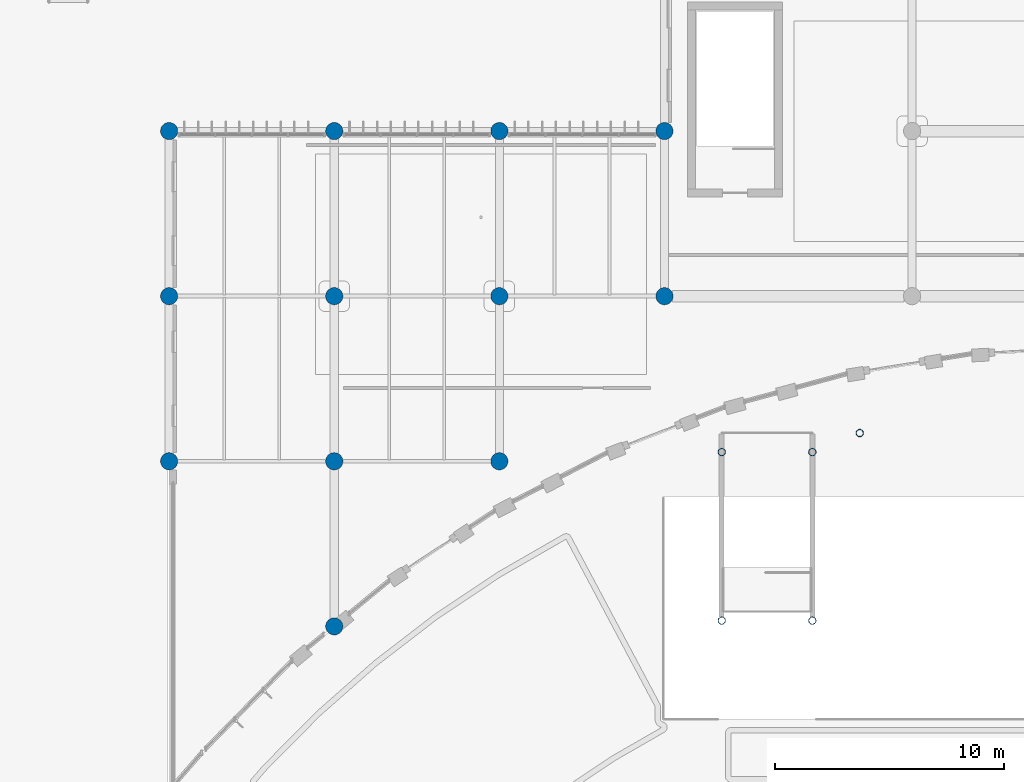
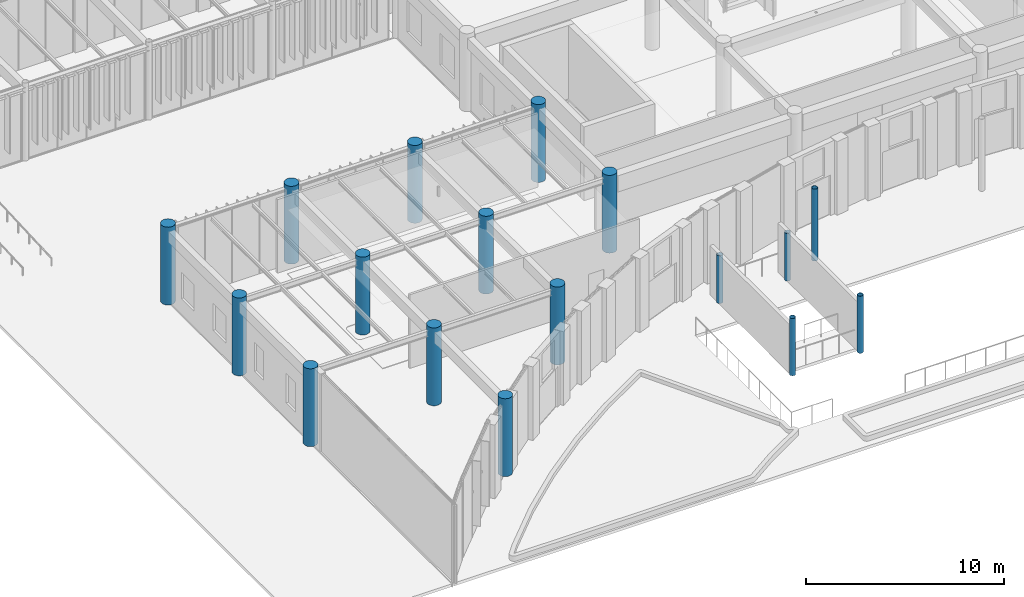
# One storey, part 1 of 122: 17 columns.
"""IFC4 building model written with IfcOpenShell, lengths in metres."""

from ifc_helpers import new_model, si_unit, direction, frame, origin, origin_2d, place, context, subcontext, project, spatial, circle, hollow_circle, extrude, material, material_profile, profile_set, type_object, element, save


model = new_model("IFC4")

# Units and contexts
model_context = context("Model", 3, precision=1e-05, world=origin(), true_north=direction((0.0, 1.0)))
body_context = subcontext(model_context, "Body", "Model", "MODEL_VIEW")
ifc_project = project(units=[si_unit("LENGTHUNIT", "METRE"), si_unit("AREAUNIT", "SQUARE_METRE"), si_unit("VOLUMEUNIT", "CUBIC_METRE"), si_unit("PLANEANGLEUNIT", "RADIAN"), si_unit("MASSUNIT", "GRAM", prefix="KILO")], contexts=[model_context])

# Site, building, storey
site_placement = place(None, origin())
site = spatial("IfcSite", under=ifc_project, at=site_placement, CompositionType="ELEMENT")
building_placement = place(site_placement, origin())
building = spatial("IfcBuilding", under=site, at=building_placement, Name="Tazoul Stagehouse", CompositionType="ELEMENT")
storey_placement = place(building_placement, origin())
storey = spatial("IfcBuildingStorey", under=building, at=storey_placement, Name="L00", CompositionType="ELEMENT", Elevation=0.0)

# Columns
ifc_material_1 = material(Name="Concrete C40/50", Category="concrete")
ifc_material_profile_1 = material_profile(ifc_material_1, circle(Radius=0.375, at=origin_2d()), Name="RC D750")
ifc_profile_set_1 = profile_set([ifc_material_profile_1], Name="Concrete C40/50")
column_type_1 = type_object("IfcColumnType", Name="RC Circular Column D750", PredefinedType="COLUMN", material=ifc_profile_set_1)
for number, where, z_axis, x_axis, name in (
    (1, (43.199951171875, 15.800048828125, 0.0), (0.0, 0.0, 1.0), (1.0, 0.0, 0.0), "L00 Column C-08 at 6/C"),
    (2, (43.199951171875, 23.0, 0.0), (0.0, 0.0, 1.0), (1.0, 0.0, 0.0), "L00 Column C-08 at 6/D"),
    (3, (50.39990234375, 15.800048828125, 0.0), (0.0, 0.0, 1.0), (1.0, 0.0, 0.0), "L00 Column C-08 at 7/C"),
    (4, (50.39990234375, 23.0, 0.0), (0.0, 0.0, 1.0), (1.0, 0.0, 0.0), "L00 Column C-08 at 7/D"),
    (5, (57.60009765625, 23.0, 0.0), (0.0, 0.0, 1.0), (1.0, 0.0, 0.0), "L00 Column C-08 at 8/D"),
):
    element("IfcColumn", number, at=place(storey_placement, frame(where, z_axis=z_axis, x_axis=x_axis)), inside=storey, type_object=column_type_1, Name=name, PredefinedType="COLUMN", context=body_context, shape_type="SweptSolid", body=[
        extrude(circle(Radius=0.375, at=origin_2d()), origin(), (0.0, 0.0, 1.0), 4.800048828125),
    ])
ifc_material_profile_2 = material_profile(ifc_material_1, circle(Radius=0.375, at=origin_2d()), Name="RC D750")
ifc_profile_set_2 = profile_set([ifc_material_profile_2], Name="Concrete C40/50")
column_type_2 = type_object("IfcColumnType", Name="RC Circular Column D750 (Exterior)", PredefinedType="COLUMN", material=ifc_profile_set_2)
for number, where, z_axis, x_axis, name in (
    (6, (36.0, 15.800048828125, 0.0), (0.0, 0.0, 1.0), (1.0, 0.0, 0.0), "L00 Column C-08E at 5/C"),
    (7, (36.0, 23.0, 0.0), (0.0, 0.0, 1.0), (1.0, 0.0, 0.0), "L00 Column C-08E at 5/D"),
    (8, (36.0, 30.199951171875, 0.0), (0.0, 0.0, 1.0), (1.0, 0.0, 0.0), "L00 Column C-08E at 5/E"),
    (9, (43.199951171875, 8.60009765625, 0.0), (0.0, 0.0, 1.0), (1.0, 0.0, 0.0), "L00 Column C-08E at 6/B"),
    (10, (43.199951171875, 30.199951171875, 0.0), (0.0, 0.0, 1.0), (1.0, 0.0, 0.0), "L00 Column C-08E at 6/E"),
    (11, (50.39990234375, 30.199951171875, 0.0), (0.0, 0.0, 1.0), (1.0, 0.0, 0.0), "L00 Column C-08E at 7/E"),
    (12, (57.60009765625, 30.199951171875, 0.0), (0.0, 0.0, 1.0), (1.0, 0.0, 0.0), "L00 Column C-08E at 8/E"),
):
    element("IfcColumn", number, at=place(storey_placement, frame(where, z_axis=z_axis, x_axis=x_axis)), inside=storey, type_object=column_type_2, Name=name, PredefinedType="COLUMN", context=body_context, shape_type="SweptSolid", body=[
        extrude(circle(Radius=0.375, at=origin_2d()), origin(), (0.0, 0.0, 1.0), 4.800048828125),
    ])
ifc_material_2 = material(Name="Steel S355", Category="steel")
ifc_material_profile_3 = material_profile(ifc_material_2, hollow_circle(Radius=0.161865234375, WallThickness=0.012451171875, at=origin_2d()), Name="CHS 323.9x12.5")
ifc_profile_set_3 = profile_set([ifc_material_profile_3], Name="Steel S355")
column_type_3 = type_object("IfcColumnType", Name="Steel Arcade Column CHS 323.9x12.5 (Exterior)", PredefinedType="COLUMN", material=ifc_profile_set_3)
for number, where, z_axis, x_axis, name in (
    (13, (60.10009765625, 8.85009765625, 0.0), (0.0, 0.0, 1.0), (1.0, 0.0, 0.0), "L00 Plaza Stair Pavilion Column SC-07E (AMP-W-1)"),
    (14, (64.050048828125, 8.85009765625, 0.0), (0.0, 0.0, 1.0), (1.0, 0.0, 0.0), "L00 Plaza Stair Pavilion Column SC-07E (AMP-W-2)"),
):
    element("IfcColumn", number, at=place(storey_placement, frame(where, z_axis=z_axis, x_axis=x_axis)), inside=storey, type_object=column_type_3, Name=name, PredefinedType="COLUMN", context=body_context, shape_type="SweptSolid", body=[
        extrude(hollow_circle(Radius=0.161865234375, WallThickness=0.012451171875, at=origin_2d()), origin(), (0.0, 0.0, 1.0), 3.52001953125),
    ])
for number, where, z_axis, x_axis, name in (
    (15, (60.10009765625, 16.199951171875, 0.0), (0.0, 0.0, 1.0), (1.0, 0.0, 0.0), "L00 Plaza Stair Pavilion Column SC-07E (AMP-W-3)"),
    (16, (64.050048828125, 16.199951171875, 0.0), (0.0, 0.0, 1.0), (1.0, 0.0, 0.0), "L00 Plaza Stair Pavilion Column SC-07E (AMP-W-4)"),
):
    element("IfcColumn", number, at=place(storey_placement, frame(where, z_axis=z_axis, x_axis=x_axis)), inside=storey, type_object=column_type_3, Name=name, PredefinedType="COLUMN", context=body_context, shape_type="SweptSolid", body=[
        extrude(hollow_circle(Radius=0.161865234375, WallThickness=0.012451171875, at=origin_2d()), origin(), (0.0, 0.0, 1.0), 2.93994140625),
    ])
column_placement = place(storey_placement, frame((66.115234375, 17.030029296875, 0.0), z_axis=(0.0, 0.0, 1.0), x_axis=(1.0, 0.0, 0.0)))
element("IfcColumn", 17, at=column_placement, inside=storey, type_object=column_type_3, Name="L00 Entrance Canopy Slender Column SC-07E (1)", PredefinedType="COLUMN", context=body_context, shape_type="SweptSolid", body=[
    extrude(hollow_circle(Radius=0.161865234375, WallThickness=0.012451171875, at=origin_2d()), origin(), (0.0, 0.0, 1.0), 4.43994140625),
])

save(model, "model.ifc")
